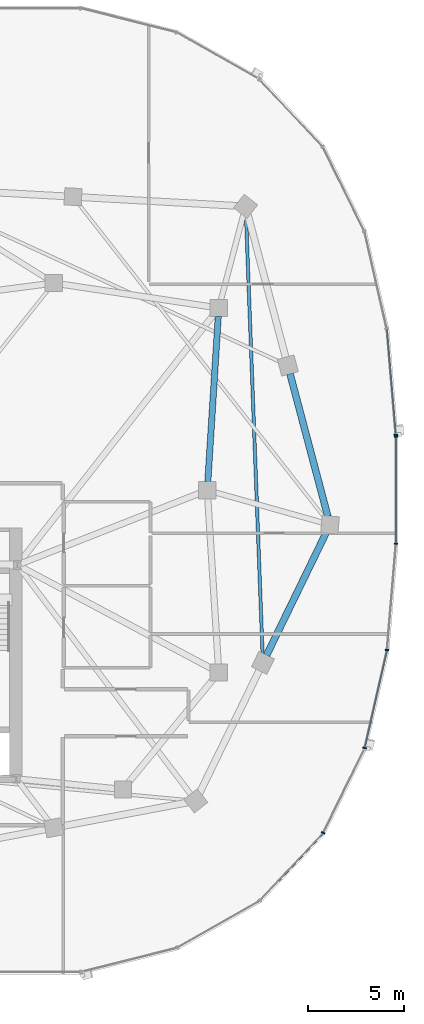
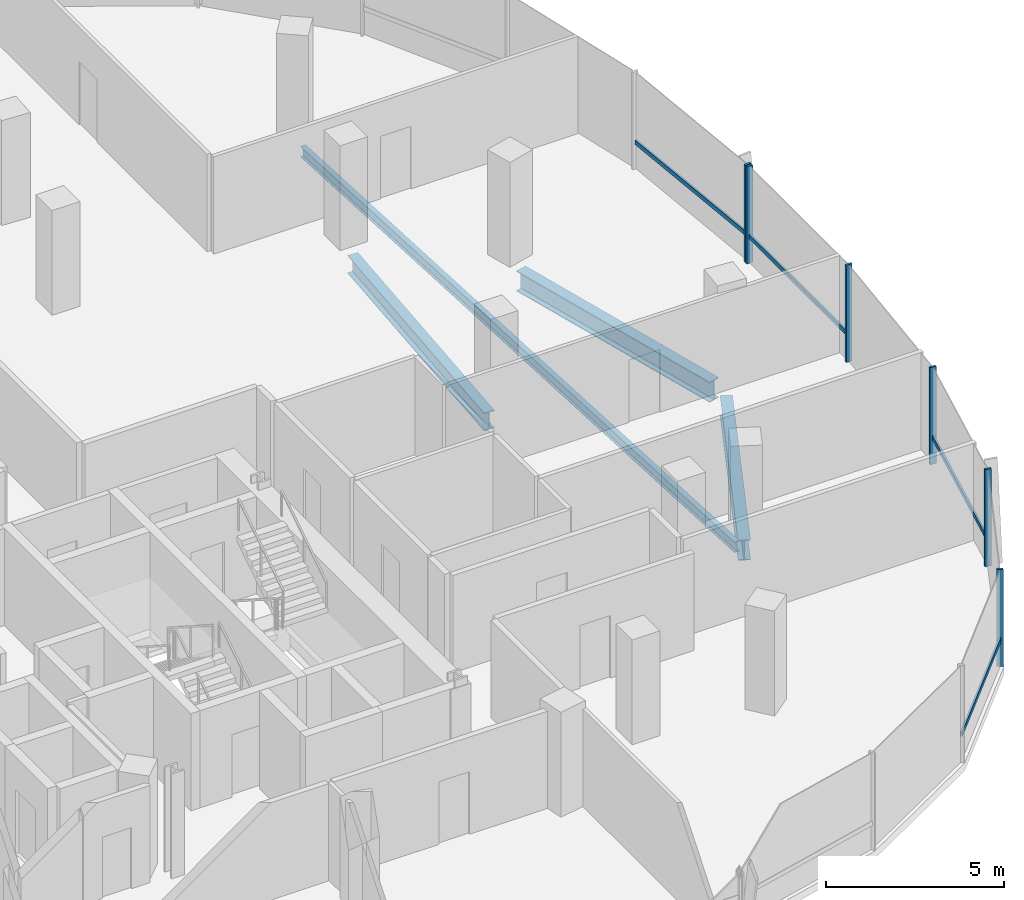
# One storey, part 10 of 25: 10 members, 4 beams, 2 elements without a shape of their own.
"""IFC4 building model written with IfcOpenShell, lengths in metres."""

from ifc_helpers import new_model, si_unit, direction, frame, origin, origin_2d, place, context, subcontext, project, spatial, rectangle, i_section, extrude, material, material_profile, profile_set, type_object, element, aggregate, save


model = new_model("IFC4")

# Units and contexts
model_context = context("Model", 3, precision=1e-05, world=origin(), true_north=direction((0.0, 1.0)))
body_context = subcontext(model_context, "Body", "Model", "MODEL_VIEW")
ifc_project = project(units=[si_unit("LENGTHUNIT", "METRE"), si_unit("AREAUNIT", "SQUARE_METRE"), si_unit("VOLUMEUNIT", "CUBIC_METRE"), si_unit("PLANEANGLEUNIT", "RADIAN"), si_unit("MASSUNIT", "GRAM", prefix="KILO"), si_unit("THERMODYNAMICTEMPERATUREUNIT", "KELVIN"), si_unit("POWERUNIT", "WATT")], contexts=[model_context])

# Site, building, storey
site_placement = place(None, origin())
site = spatial("IfcSite", under=ifc_project, at=site_placement, CompositionType="ELEMENT")
building_placement = place(site_placement, origin())
building = spatial("IfcBuilding", under=site, at=building_placement, Name="Cundina Bronze Exchange", CompositionType="ELEMENT")
storey_placement = place(building_placement, frame((0.0, 0.0, 217.0)))
storey = spatial("IfcBuildingStorey", under=building, at=storey_placement, Name="L57", CompositionType="ELEMENT", Elevation=217.0)

# Beams
ifc_material_1 = material(Name="Steel ASTM A992 Grade 50", Category="steel")
ifc_material_profile_1 = material_profile(ifc_material_1, i_section(OverallWidth=0.172119140625, OverallDepth=0.35791015625, WebThickness=0.0078125, FlangeThickness=0.01318359375, FilletRadius=0.010009765625, at=origin_2d()), Name="W14X38", Category="steel")
ifc_profile_set_1 = profile_set([ifc_material_profile_1], Name="Steel ASTM A992 Grade 50")
beam_type_1 = type_object("IfcBeamType", Name="BM-JST-W14", PredefinedType="JOIST", material=ifc_profile_set_1)
beam_1_placement = place(storey_placement, frame((44.08349609375, -8.562255859375, -0.43896484375), z_axis=(-0.037790216102, 0.999285694667, 0.0), x_axis=(-0.999285694667, -0.037790216102, 0.0)))
element("IfcBeam", 1, at=beam_1_placement, inside=storey, type_object=beam_type_1, Name="L57 Leg E Lobe Floor Joist 07-10", PredefinedType="JOIST", context=body_context, shape_type="SweptSolid", body=[
    extrude(i_section(OverallWidth=0.172119140625, OverallDepth=0.35791015625, WebThickness=0.0078125, FlangeThickness=0.01318359375, FilletRadius=0.010009765625, at=origin_2d()), origin(), (0.0, 0.0, 1.0), 22.94091796875),
])
ifc_material_profile_2 = material_profile(ifc_material_1, i_section(OverallWidth=0.324951171875, OverallDepth=0.615966796875, WebThickness=0.013916015625, FlangeThickness=0.021484375, FilletRadius=0.01611328125, at=origin_2d()), Name="W24X117", Category="steel")
ifc_profile_set_2 = profile_set([ifc_material_profile_2], Name="Steel ASTM A992 Grade 50")
beam_type_2 = type_object("IfcBeamType", Name="BM-RING-W24", PredefinedType="USERDEFINED", material=ifc_profile_set_2)
beam_2_placement = place(storey_placement, frame((41.2275390625, 0.43701171875, -0.568115234375), z_axis=(0.063046519736, 0.998010589297, 0.0), x_axis=(-0.998010589297, 0.063046519736, 0.0)))
element("IfcBeam", 2, at=beam_2_placement, inside=storey, type_object=beam_type_2, Name="L57 E Inner Structural Ring Girder 04", ObjectType="GIRDER", PredefinedType="USERDEFINED", context=body_context, shape_type="SweptSolid", body=[
    extrude(i_section(OverallWidth=0.324951171875, OverallDepth=0.615966796875, WebThickness=0.013916015625, FlangeThickness=0.021484375, FilletRadius=0.01611328125, at=origin_2d()), origin(), (0.0, 0.0, 1.0), 8.64306640625),
])
ifc_material_profile_3 = material_profile(ifc_material_1, i_section(OverallWidth=0.35498046875, OverallDepth=0.695068359375, WebThickness=0.015380859375, FlangeThickness=0.02490234375, FilletRadius=0.01806640625, at=origin_2d()), Name="W27X146", Category="steel")
ifc_profile_set_3 = profile_set([ifc_material_profile_3], Name="Steel ASTM A992 Grade 50")
beam_type_3 = type_object("IfcBeamType", Name="BM-RING-W27", PredefinedType="USERDEFINED", material=ifc_profile_set_3)
beam_3_placement = place(storey_placement, frame((44.29150390625, -8.606201171875, -0.607421875), z_axis=(0.437173087764, 0.89937739094, 0.0), x_axis=(-0.89937739094, 0.437173087764, 0.0)))
element("IfcBeam", 3, at=beam_3_placement, inside=storey, type_object=beam_type_3, Name="L57 E Perimeter Ring Girder 07", ObjectType="GIRDER", PredefinedType="USERDEFINED", context=body_context, shape_type="SweptSolid", body=[
    extrude(i_section(OverallWidth=0.35498046875, OverallDepth=0.695068359375, WebThickness=0.015380859375, FlangeThickness=0.02490234375, FilletRadius=0.01806640625, at=origin_2d()), origin(), (0.0, 0.0, 1.0), 7.1298828125),
])
beam_4_placement = place(storey_placement, frame((47.48779296875, -1.376708984375, -0.607421875), z_axis=(-0.256211934474, 0.966620631185, 0.0), x_axis=(-0.966620631185, -0.256211934474, 0.0)))
element("IfcBeam", 4, at=beam_4_placement, inside=storey, type_object=beam_type_3, Name="L57 E Perimeter Ring Girder 08", ObjectType="GIRDER", PredefinedType="USERDEFINED", context=body_context, shape_type="SweptSolid", body=[
    extrude(i_section(OverallWidth=0.35498046875, OverallDepth=0.695068359375, WebThickness=0.015380859375, FlangeThickness=0.02490234375, FilletRadius=0.01806640625, at=origin_2d()), origin(), (0.0, 0.0, 1.0), 7.710693359375),
])

# Curtain wall, member
ifc_material_2 = material(Name="Anodised Bronze Aluminium 6063-T6", Category="aluminium")
curtain_wall_type = type_object("IfcCurtainWallType", Name="CWS-UPP-OFF", PredefinedType="NOTDEFINED", material=ifc_material_2)
curtain_wall_1_placement = place(storey_placement, origin())
curtain_wall_1 = element("IfcCurtainWall", 5, at=curtain_wall_1_placement, inside=storey, type_object=curtain_wall_type, Name="L57 CW-05 Curtain Wall Run CWR-L57-E1", PredefinedType="NOTDEFINED")
ifc_material_profile_4 = material_profile(ifc_material_2, rectangle(XDim=0.070068359375, YDim=0.18994140625, at=origin_2d()), Name="AL70X190", Category="aluminium")
ifc_profile_set_4 = profile_set([ifc_material_profile_4], Name="Anodised Bronze Aluminium 6063-T6")
member_type_1 = type_object("IfcMemberType", Name="CWM-MUL-190", PredefinedType="MULLION", material=ifc_profile_set_4)
member_1_placement = place(storey_placement, frame((51.0302734375, 2.88330078125, 0.0), z_axis=(0.0, 0.0, 1.0), x_axis=(-0.083677843332, 0.99649285925, 0.0)))
member_1 = element("IfcMember", 6, at=member_1_placement, type_object=member_type_1, Name="CW-05 Mullion 1", PredefinedType="MULLION", context=body_context, shape_type="SweptSolid", body=[
    extrude(rectangle(XDim=0.070068359375, YDim=0.18994140625, at=origin_2d()), origin(), (0.0, 0.0, 1.0), 3.340087890625),
])

# Curtain wall, members
curtain_wall_2_placement = place(storey_placement, origin())
curtain_wall_2 = element("IfcCurtainWall", 7, at=curtain_wall_2_placement, inside=storey, type_object=curtain_wall_type, Name="L57 CW-05 Curtain Wall Run CWR-L57-E4", PredefinedType="NOTDEFINED")
member_2_placement = place(storey_placement, frame((47.245361328125, -17.866455078125, 0.0), z_axis=(0.0, 0.0, 1.0), x_axis=(0.440566004113, 0.897720221461, 0.0)))
member_2 = element("IfcMember", 8, at=member_2_placement, type_object=member_type_1, Name="CW-05 Mullion 4", PredefinedType="MULLION", context=body_context, shape_type="SweptSolid", body=[
    extrude(rectangle(XDim=0.070068359375, YDim=0.18994140625, at=origin_2d()), origin(), (0.0, 0.0, 1.0), 3.340087890625),
])
member_3_placement = place(storey_placement, frame((49.40771484375, -13.440673828125, 0.0), z_axis=(0.0, 0.0, 1.0), x_axis=(0.223250116011, 0.974761194191, 0.0)))
member_3 = element("IfcMember", 9, at=member_3_placement, type_object=member_type_1, Name="CW-05 Mullion 5", PredefinedType="MULLION", context=body_context, shape_type="SweptSolid", body=[
    extrude(rectangle(XDim=0.070068359375, YDim=0.18994140625, at=origin_2d()), origin(), (0.0, 0.0, 1.0), 3.340087890625),
])
member_4_placement = place(storey_placement, frame((50.572509765625, -8.33056640625, 0.0), z_axis=(0.0, 0.0, 1.0), x_axis=(0.083677843332, 0.99649285925, 0.0)))
member_4 = element("IfcMember", 10, at=member_4_placement, type_object=member_type_1, Name="CW-05 Mullion 6", PredefinedType="MULLION", context=body_context, shape_type="SweptSolid", body=[
    extrude(rectangle(XDim=0.070068359375, YDim=0.18994140625, at=origin_2d()), origin(), (0.0, 0.0, 1.0), 3.340087890625),
])
member_5_placement = place(storey_placement, frame((51.033935546875, -2.794921875, 0.0), z_axis=(0.0, 0.0, 1.0), x_axis=(0.0, 1.0, 0.0)))
member_5 = element("IfcMember", 11, at=member_5_placement, type_object=member_type_1, Name="CW-05 Mullion 7", PredefinedType="MULLION", context=body_context, shape_type="SweptSolid", body=[
    extrude(rectangle(XDim=0.070068359375, YDim=0.18994140625, at=origin_2d()), origin(), (0.0, 0.0, 1.0), 3.340087890625),
])
member_6_placement = place(storey_placement, frame((51.033935546875, 2.794921875, 0.0), z_axis=(0.0, 0.0, 1.0), x_axis=(0.0, 1.0, 0.0)))
member_6 = element("IfcMember", 12, at=member_6_placement, type_object=member_type_1, Name="CW-05 End Mullion", PredefinedType="MULLION", context=body_context, shape_type="SweptSolid", body=[
    extrude(rectangle(XDim=0.070068359375, YDim=0.18994140625, at=origin_2d()), origin(), (0.0, 0.0, 1.0), 3.340087890625),
])

# Member
ifc_material_profile_5 = material_profile(ifc_material_2, rectangle(XDim=0.06494140625, YDim=0.14990234375, at=origin_2d()), Name="AL65X150", Category="aluminium")
ifc_profile_set_5 = profile_set([ifc_material_profile_5], Name="Anodised Bronze Aluminium 6063-T6")
member_type_2 = type_object("IfcMemberType", Name="CWM-TRN-150", PredefinedType="USERDEFINED", material=ifc_profile_set_5)
member_7_placement = place(storey_placement, frame((51.027099609375, 2.921630859375, 0.919921875), z_axis=(-0.083740331158, 0.996487610027, 0.0), x_axis=(-0.996487610027, -0.083740331158, 0.0)))
member_7 = element("IfcMember", 13, at=member_7_placement, type_object=member_type_2, Name="CW-05 Spandrel Transom 1", ObjectType="TRANSOM", PredefinedType="USERDEFINED", context=body_context, shape_type="SweptSolid", body=[
    extrude(rectangle(XDim=0.06494140625, YDim=0.14990234375, at=origin_2d()), origin(), (0.0, 0.0, 1.0), 5.466552734375),
])

aggregate(curtain_wall_1, [member_1, member_7])

member_8_placement = place(storey_placement, frame((43.97509765625, -21.364501953125, 0.919921875), z_axis=(0.684336416554, 0.729166420633, 0.0), x_axis=(-0.729166420633, 0.684336416554, 0.0)))
member_8 = element("IfcMember", 14, at=member_8_placement, type_object=member_type_2, Name="CW-05 Spandrel Transom 3", ObjectType="TRANSOM", PredefinedType="USERDEFINED", context=body_context, shape_type="SweptSolid", body=[
    extrude(rectangle(XDim=0.06494140625, YDim=0.14990234375, at=origin_2d()), origin(), (0.0, 0.0, 1.0), 4.76513671875),
])

member_9_placement = place(storey_placement, frame((49.41650390625, -13.403076171875, 0.919921875), z_axis=(0.22328343579, 0.974753562344, 0.0), x_axis=(-0.974753562344, 0.22328343579, 0.0)))
member_9 = element("IfcMember", 15, at=member_9_placement, type_object=member_type_2, Name="CW-05 Spandrel Transom 5", ObjectType="TRANSOM", PredefinedType="USERDEFINED", context=body_context, shape_type="SweptSolid", body=[
    extrude(rectangle(XDim=0.06494140625, YDim=0.14990234375, at=origin_2d()), origin(), (0.0, 0.0, 1.0), 5.159912109375),
])

member_10_placement = place(storey_placement, frame((51.033935546875, -2.756591796875, 0.919921875), z_axis=(0.0, 1.0, 0.0), x_axis=(-1.0, 0.0, 0.0)))
member_10 = element("IfcMember", 16, at=member_10_placement, type_object=member_type_2, Name="CW-05 Spandrel Transom 7", ObjectType="TRANSOM", PredefinedType="USERDEFINED", context=body_context, shape_type="SweptSolid", body=[
    extrude(rectangle(XDim=0.06494140625, YDim=0.14990234375, at=origin_2d()), origin(), (0.0, 0.0, 1.0), 5.51318359375),
])

aggregate(curtain_wall_2, [member_8, member_2, member_3, member_9, member_4, member_5, member_6, member_10])

save(model, "model.ifc")
